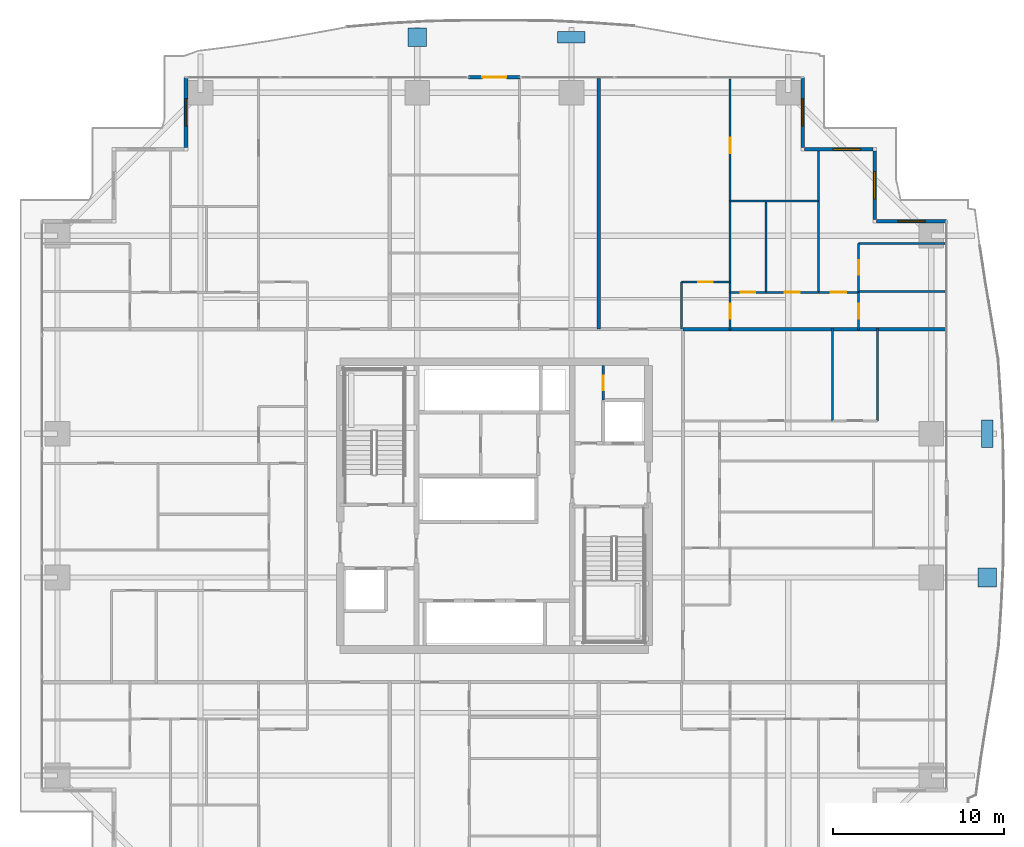
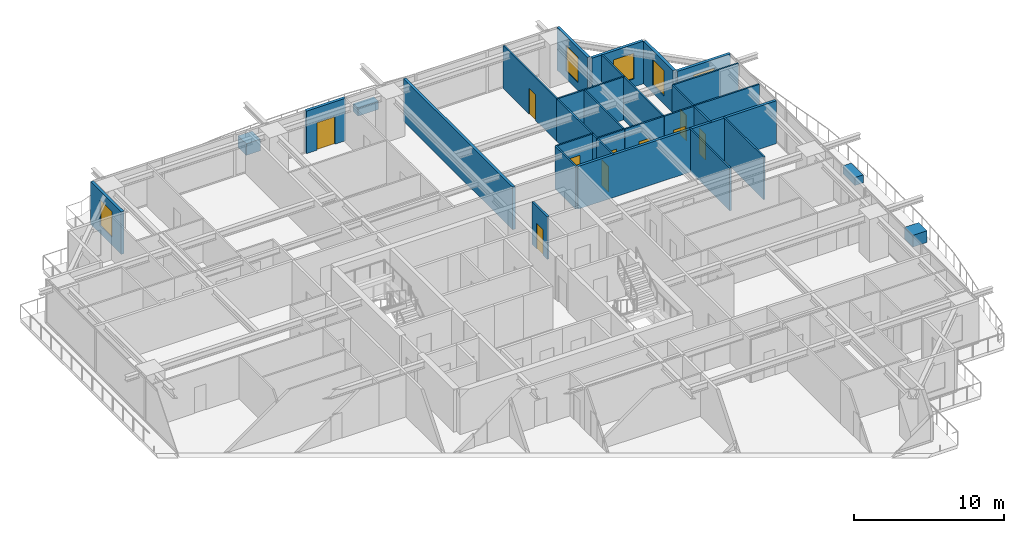
# One storey, part 31 of 37: 26 walls, 10 doors, 5 windows, 4 discrete accessories, 15 openings.
"""IFC4 building model written with IfcOpenShell, lengths in metres."""

from ifc_helpers import new_model, si_unit, direction, frame, frame_2d, origin, origin_2d, place, context, subcontext, project, spatial, rectangle, extrude, source, transform, mapped, material, layer, layer_set, type_object, element, fill, save


model = new_model("IFC4")

# Units and contexts
model_context = context("Model", 3, precision=1e-05, world=origin(), true_north=direction((0.0, 1.0)))
body_context = subcontext(model_context, "Body", "Model", "MODEL_VIEW")
ifc_project = project(units=[si_unit("LENGTHUNIT", "METRE"), si_unit("AREAUNIT", "SQUARE_METRE"), si_unit("VOLUMEUNIT", "CUBIC_METRE"), si_unit("PLANEANGLEUNIT", "RADIAN"), si_unit("MASSUNIT", "GRAM", prefix="KILO")], contexts=[model_context])

# Site, building, storey
site_placement = place(None, origin())
site = spatial("IfcSite", under=ifc_project, at=site_placement, CompositionType="ELEMENT")
building_placement = place(site_placement, origin())
building = spatial("IfcBuilding", under=site, at=building_placement, Name="Serunith Strait Residences", CompositionType="ELEMENT")
storey_placement = place(building_placement, frame((0.0, 0.0, 34.199951171875)))
storey = spatial("IfcBuildingStorey", under=building, at=storey_placement, Name="L07", CompositionType="ELEMENT", Elevation=34.199951171875)

# Wall, opening, window
ifc_material_1 = material(Name="Pale-Champagne Aluminium Insulated Panel", Category="aluminium")
ifc_layer_1 = layer(ifc_material_1, 0.219970703125, Name="Pale-Champagne Aluminium Insulated Panel")
ifc_layer_set_1 = layer_set([ifc_layer_1], Name="Pale-Champagne Aluminium Insulated Panel")
wall_type_1 = type_object("IfcWallType", Name="EW-ALUM-220", PredefinedType="ELEMENTEDWALL", material=ifc_layer_set_1)
wall_1_placement = place(storey_placement, frame((58.800048828125, 41.800048828125, 0.0), z_axis=(0.0, 0.0, 1.0), x_axis=(-1.0, 0.0, 0.0)))
wall_1 = element("IfcWall", 1, at=wall_1_placement, inside=storey, type_object=wall_type_1, Name="L07 Girih Serrated Corner Wall 07", PredefinedType="ELEMENTEDWALL", context=body_context, shape_type="SweptSolid", body=[
    extrude(rectangle(XDim=4.090087890625, YDim=0.219970703125, at=frame_2d((2.044921875, 0.0))), origin(), (0.0, 0.0, 1.0), 3.47509765625),
])
opening_1_placement = place(wall_1_placement, frame((1.2451171875, 0.0, 0.64990234375)))
opening_1 = element("IfcOpeningElement", 2, at=opening_1_placement, cuts=wall_1, Name="Opening W-02", PredefinedType="OPENING", context=body_context, shape_type="SweptSolid", body=[
    extrude(rectangle(XDim=1.60009765625, YDim=2.10009765625, at=frame_2d((0.800048828125, 1.050048828125))), frame((0.0, 0.1201171875, 0.0), z_axis=(0.0, -1.0, 0.0), x_axis=(1.0, 0.0, 0.0)), (0.0, 0.0, 1.0), 0.239990234375),
])
ifc_material_2 = material(Name="Ceramic-Fritted Operable Aluminium Window Glass", Category="aluminium")
window_type = type_object("IfcWindowType", Name="WIN-C2", PartitioningType="DOUBLE_PANEL_VERTICAL", PredefinedType="WINDOW", material=ifc_material_2)
shared_shape_1 = source(origin(), body_context, "Body", "SweptSolid", [
    extrude(rectangle(XDim=1.60009765625, YDim=2.10009765625, at=frame_2d((0.800048828125, 1.050048828125))), frame((0.0, 0.030029296875, 0.0), z_axis=(0.0, -1.0, 0.0), x_axis=(1.0, 0.0, 0.0)), (0.0, 0.0, 1.0), 0.06005859375),
])
window_1_placement = place(opening_1_placement, origin())
window_1 = element("IfcWindow", 3, at=window_1_placement, inside=storey, type_object=window_type, Name="L07 Corner Operable Fritted Window 07", OverallHeight=2.10009765625, OverallWidth=1.60009765625, PartitioningType="SINGLE_PANEL", PredefinedType="WINDOW", context=body_context, shape_type="MappedRepresentation", body=[
    mapped(shared_shape_1, transform((0.0, 0.0, 0.0), scale=1.0)),
])
fill(opening_1, window_1)

wall_2_placement = place(storey_placement, frame((54.60009765625, 41.909912109375, 0.0), z_axis=(0.0, 0.0, 1.0), x_axis=(0.0, 1.0, 0.0)))
wall_2 = element("IfcWall", 4, at=wall_2_placement, inside=storey, type_object=wall_type_1, Name="L07 Girih Serrated Corner Wall 08", PredefinedType="ELEMENTEDWALL", context=body_context, shape_type="SweptSolid", body=[
    extrude(rectangle(XDim=3.97998046875, YDim=0.219970703125, at=frame_2d((1.989990234375, 0.0))), origin(), (0.0, 0.0, 1.0), 3.47509765625),
])
opening_2_placement = place(wall_2_placement, frame((1.18994140625, 0.0, 0.64990234375)))
opening_2 = element("IfcOpeningElement", 5, at=opening_2_placement, cuts=wall_2, Name="Opening W-02", PredefinedType="OPENING", context=body_context, shape_type="SweptSolid", body=[
    extrude(rectangle(XDim=1.60009765625, YDim=2.10009765625, at=frame_2d((0.800048828125, 1.050048828125))), frame((0.0, 0.1201171875, 0.0), z_axis=(0.0, -1.0, 0.0), x_axis=(1.0, 0.0, 0.0)), (0.0, 0.0, 1.0), 0.239990234375),
])
window_2_placement = place(opening_2_placement, origin())
window_2 = element("IfcWindow", 6, at=window_2_placement, inside=storey, type_object=window_type, Name="L07 Corner Operable Fritted Window 08", OverallHeight=2.10009765625, OverallWidth=1.60009765625, PartitioningType="SINGLE_PANEL", PredefinedType="WINDOW", context=body_context, shape_type="MappedRepresentation", body=[
    mapped(shared_shape_1, transform((0.0, 0.0, 0.0), scale=1.0)),
])
fill(opening_2, window_2)

wall_3_placement = place(storey_placement, frame((54.489990234375, 46.0, 0.0), z_axis=(0.0, 0.0, 1.0), x_axis=(-1.0, 0.0, 0.0)))
wall_3 = element("IfcWall", 7, at=wall_3_placement, inside=storey, type_object=wall_type_1, Name="L07 Girih Serrated Corner Wall 09", PredefinedType="ELEMENTEDWALL", context=body_context, shape_type="SweptSolid", body=[
    extrude(rectangle(XDim=3.97998046875, YDim=0.219970703125, at=frame_2d((1.989990234375, 0.0))), origin(), (0.0, 0.0, 1.0), 3.47509765625),
])
opening_3_placement = place(wall_3_placement, frame((0.714111328125, 0.0, 0.64990234375)))
opening_3 = element("IfcOpeningElement", 8, at=opening_3_placement, cuts=wall_3, Name="Opening W-02", PredefinedType="OPENING", context=body_context, shape_type="SweptSolid", body=[
    extrude(rectangle(XDim=1.60009765625, YDim=2.10009765625, at=frame_2d((0.800048828125, 1.050048828125))), frame((0.0, 0.1201171875, 0.0), z_axis=(0.0, -1.0, 0.0), x_axis=(1.0, 0.0, 0.0)), (0.0, 0.0, 1.0), 0.239990234375),
])
window_3_placement = place(opening_3_placement, origin())
window_3 = element("IfcWindow", 9, at=window_3_placement, inside=storey, type_object=window_type, Name="L07 Corner Operable Fritted Window 09", OverallHeight=2.10009765625, OverallWidth=1.60009765625, PartitioningType="SINGLE_PANEL", PredefinedType="WINDOW", context=body_context, shape_type="MappedRepresentation", body=[
    mapped(shared_shape_1, transform((0.0, 0.0, 0.0), scale=1.0)),
])
fill(opening_3, window_3)

wall_4_placement = place(storey_placement, frame((50.39990234375, 46.110107421875, 0.0), z_axis=(0.0, 0.0, 1.0), x_axis=(0.0, 1.0, 0.0)))
wall_4 = element("IfcWall", 10, at=wall_4_placement, inside=storey, type_object=wall_type_1, Name="L07 Girih Serrated Corner Wall 10", PredefinedType="ELEMENTEDWALL", context=body_context, shape_type="SweptSolid", body=[
    extrude(rectangle(XDim=4.08984375, YDim=0.219970703125, at=frame_2d((2.044921875, 0.0))), origin(), (0.0, 0.0, 1.0), 3.47509765625),
])
opening_4_placement = place(wall_4_placement, frame((1.2451171875, 0.0, 0.64990234375)))
opening_4 = element("IfcOpeningElement", 11, at=opening_4_placement, cuts=wall_4, Name="Opening W-02", PredefinedType="OPENING", context=body_context, shape_type="SweptSolid", body=[
    extrude(rectangle(XDim=1.60009765625, YDim=2.10009765625, at=frame_2d((0.800048828125, 1.050048828125))), frame((0.0, 0.1201171875, 0.0), z_axis=(0.0, -1.0, 0.0), x_axis=(1.0, 0.0, 0.0)), (0.0, 0.0, 1.0), 0.239990234375),
])
window_4_placement = place(opening_4_placement, origin())
window_4 = element("IfcWindow", 12, at=window_4_placement, inside=storey, type_object=window_type, Name="L07 Corner Operable Fritted Window 10", OverallHeight=2.10009765625, OverallWidth=1.60009765625, PartitioningType="SINGLE_PANEL", PredefinedType="WINDOW", context=body_context, shape_type="MappedRepresentation", body=[
    mapped(shared_shape_1, transform((0.0, 0.0, 0.0), scale=1.0)),
])
fill(opening_4, window_4)

# Wall, opening, door
wall_5_placement = place(storey_placement, frame((33.89990234375, 50.199951171875, 0.0), z_axis=(0.0, 0.0, 1.0), x_axis=(-1.0, 0.0, 0.0)))
wall_5 = element("IfcWall", 13, at=wall_5_placement, inside=storey, type_object=wall_type_1, Name="L07 N Facade Pier Wall", PredefinedType="ELEMENTEDWALL", context=body_context, shape_type="SweptSolid", body=[
    extrude(rectangle(XDim=3.0, YDim=0.219970703125, at=frame_2d((1.5, 0.0))), origin(), (0.0, 0.0, 1.0), 3.47509765625),
])
opening_5_placement = place(wall_5_placement, frame((0.800048828125, 0.0, 0.0)))
opening_5 = element("IfcOpeningElement", 14, at=opening_5_placement, cuts=wall_5, Name="Opening ED-04", PredefinedType="OPENING", context=body_context, shape_type="SweptSolid", body=[
    extrude(rectangle(XDim=1.39990234375, YDim=2.25, at=frame_2d((0.699951171875, 1.125))), frame((0.0, 0.1201171875, 0.0), z_axis=(0.0, -1.0, 0.0), x_axis=(1.0, 0.0, 0.0)), (0.0, 0.0, 1.0), 0.239990234375),
])
ifc_material_3 = material(Name="Thermally-Broken Aluminium Sliding Balcony Door", Category="aluminium")
door_type_1 = type_object("IfcDoorType", Name="ED-BALC-1400", OperationType="NOTDEFINED", PredefinedType="DOOR", material=ifc_material_3)
shared_shape_2 = source(origin(), body_context, "Body", "SweptSolid", [
    extrude(rectangle(XDim=1.39990234375, YDim=2.25, at=frame_2d((0.699951171875, 1.125))), frame((0.0, 0.02490234375, 0.0), z_axis=(0.0, -1.0, 0.0), x_axis=(1.0, 0.0, 0.0)), (0.0, 0.0, 1.0), 0.050048828125),
])
door_1_placement = place(opening_5_placement, origin())
door_1 = element("IfcDoor", 15, at=door_1_placement, inside=storey, type_object=door_type_1, Name="L07 N Vertical-Forest Balcony Door", OperationType="SLIDING_TO_LEFT", OverallHeight=2.25, OverallWidth=1.39990234375, PredefinedType="DOOR", context=body_context, shape_type="MappedRepresentation", body=[
    mapped(shared_shape_2, transform((0.0, 0.0, 0.0), scale=1.0)),
])
fill(opening_5, door_1)

# Wall, opening, window
wall_6_placement = place(storey_placement, frame((14.39990234375, 50.199951171875, 0.0), z_axis=(0.0, 0.0, 1.0), x_axis=(0.0, -1.0, 0.0)))
wall_6 = element("IfcWall", 16, at=wall_6_placement, inside=storey, type_object=wall_type_1, Name="L07 Girih Serrated Corner Wall 12", PredefinedType="ELEMENTEDWALL", context=body_context, shape_type="SweptSolid", body=[
    extrude(rectangle(XDim=4.08984375, YDim=0.219970703125, at=frame_2d((2.044921875, 0.0))), origin(), (0.0, 0.0, 1.0), 3.47509765625),
])
opening_6_placement = place(wall_6_placement, frame((1.2451171875, 0.0, 0.64990234375)))
opening_6 = element("IfcOpeningElement", 17, at=opening_6_placement, cuts=wall_6, Name="Opening W-02", PredefinedType="OPENING", context=body_context, shape_type="SweptSolid", body=[
    extrude(rectangle(XDim=1.60009765625, YDim=2.10009765625, at=frame_2d((0.800048828125, 1.050048828125))), frame((0.0, 0.1201171875, 0.0), z_axis=(0.0, -1.0, 0.0), x_axis=(1.0, 0.0, 0.0)), (0.0, 0.0, 1.0), 0.239990234375),
])
window_5_placement = place(opening_6_placement, origin())
window_5 = element("IfcWindow", 18, at=window_5_placement, inside=storey, type_object=window_type, Name="L07 Corner Operable Fritted Window 12", OverallHeight=2.10009765625, OverallWidth=1.60009765625, PartitioningType="SINGLE_PANEL", PredefinedType="WINDOW", context=body_context, shape_type="MappedRepresentation", body=[
    mapped(shared_shape_1, transform((0.0, 0.0, 0.0), scale=1.0)),
])
fill(opening_6, window_5)

# Wall, opening, door
ifc_material_4 = material(Name="Fire-rated masonry service closet wall", Category="masonry")
ifc_layer_2 = layer(ifc_material_4, 0.14990234375, Name="Fire-rated masonry service closet wall")
ifc_layer_set_2 = layer_set([ifc_layer_2], Name="Fire-rated masonry service closet wall")
wall_type_2 = type_object("IfcWallType", Name="IW-BOH-150", PredefinedType="PARTITIONING", material=ifc_layer_set_2)
wall_7_placement = place(storey_placement, frame((38.75, 31.35205078125, 0.0), z_axis=(0.0, 0.0, 1.0), x_axis=(0.0, 1.0, 0.0)))
wall_7 = element("IfcWall", 19, at=wall_7_placement, inside=storey, type_object=wall_type_2, Name="L07 Partition Wall 012", PredefinedType="PARTITIONING", context=body_context, shape_type="SweptSolid", body=[
    extrude(rectangle(XDim=2.02294921875, YDim=0.14990234375, at=frame_2d((1.011474609375, 0.0))), origin(), (0.0, 0.0, 1.0), 3.489990234375),
])
opening_7_placement = place(wall_7_placement, frame((0.5859375, 0.0, 0.0)))
opening_7 = element("IfcOpeningElement", 20, at=opening_7_placement, cuts=wall_7, Name="Opening FD-850", PredefinedType="OPENING", context=body_context, shape_type="SweptSolid", body=[
    extrude(rectangle(XDim=0.85009765625, YDim=2.10009765625, at=frame_2d((0.425048828125, 1.050048828125))), frame((0.0, 0.0849609375, 0.0), z_axis=(0.0, -1.0, 0.0), x_axis=(1.0, 0.0, 0.0)), (0.0, 0.0, 1.0), 0.169921875),
])
ifc_material_5 = material(Name="Powder-coated steel service closet door", Category="steel")
door_type_2 = type_object("IfcDoorType", Name="FD-BOH-850", OperationType="NOTDEFINED", PredefinedType="DOOR", material=ifc_material_5)
shared_shape_3 = source(origin(), body_context, "Body", "SweptSolid", [
    extrude(rectangle(XDim=0.85009765625, YDim=2.10009765625, at=frame_2d((0.425048828125, 1.050048828125))), frame((0.0, 0.02490234375, 0.0), z_axis=(0.0, -1.0, 0.0), x_axis=(1.0, 0.0, 0.0)), (0.0, 0.0, 1.0), 0.050048828125),
])
door_2_placement = place(opening_7_placement, origin())
door_2 = element("IfcDoor", 21, at=door_2_placement, inside=storey, type_object=door_type_2, Name="L07 ELV Data Closet Door", OperationType="SINGLE_SWING_LEFT", OverallHeight=2.10009765625, OverallWidth=0.85009765625, PredefinedType="DOOR", context=body_context, shape_type="MappedRepresentation", body=[
    mapped(shared_shape_3, transform((0.0, 0.0, 0.0), scale=1.0)),
])
fill(opening_7, door_2)

ifc_material_6 = material(Name="Lightweight steel-stud gypsum partition", Category="steel")
ifc_layer_3 = layer(ifc_material_6, 0.1201171875, Name="Lightweight steel-stud gypsum partition")
ifc_layer_set_3 = layer_set([ifc_layer_3], Name="Lightweight steel-stud gypsum partition")
wall_type_3 = type_object("IfcWallType", Name="IW-PART-120", PredefinedType="PARTITIONING", material=ifc_layer_set_3)
wall_8_placement = place(storey_placement, frame((43.31005859375, 38.25, 0.0), z_axis=(0.0, 0.0, 1.0), x_axis=(1.0, 0.0, 0.0)))
wall_8 = element("IfcWall", 22, at=wall_8_placement, inside=storey, type_object=wall_type_3, Name="L07 Partition Wall 086", PredefinedType="PARTITIONING", context=body_context, shape_type="SweptSolid", body=[
    extrude(rectangle(XDim=2.849853515625, YDim=0.1201171875, at=frame_2d((1.4248046875, 0.0))), origin(), (0.0, 0.0, 1.0), 3.489990234375),
])
opening_8_placement = place(wall_8_placement, frame((1.0, 0.0, 0.0)))
opening_8 = element("IfcOpeningElement", 23, at=opening_8_placement, cuts=wall_8, Name="Opening D-RM850", PredefinedType="OPENING", context=body_context, shape_type="SweptSolid", body=[
    extrude(rectangle(XDim=0.85009765625, YDim=2.10009765625, at=frame_2d((0.425048828125, 1.050048828125))), frame((0.0, 0.070068359375, 0.0), z_axis=(0.0, -1.0, 0.0), x_axis=(1.0, 0.0, 0.0)), (0.0, 0.0, 1.0), 0.14013671875),
])
ifc_material_7 = material(Name="Engineered timber flush study and kitchen door", Category="wood")
door_type_3 = type_object("IfcDoorType", Name="ID-ROOM-850", OperationType="NOTDEFINED", PredefinedType="DOOR", material=ifc_material_7)
door_3_placement = place(opening_8_placement, origin())
door_3 = element("IfcDoor", 24, at=door_3_placement, inside=storey, type_object=door_type_3, Name="L07 Kitchen 0706 Door", OperationType="SINGLE_SWING_RIGHT", OverallHeight=2.10009765625, OverallWidth=0.85009765625, PredefinedType="DOOR", context=body_context, shape_type="MappedRepresentation", body=[
    mapped(shared_shape_3, transform((0.0, 0.0, 0.0), scale=1.0)),
])
fill(opening_8, door_3)

# Wall
wall_9_placement = place(storey_placement, frame((43.31005859375, 38.25, 0.0), z_axis=(0.0, 0.0, 1.0), x_axis=(0.0, -1.0, 0.0)))
element("IfcWall", 25, at=wall_9_placement, inside=storey, type_object=wall_type_3, Name="L07 Partition Wall 087", PredefinedType="PARTITIONING", context=body_context, shape_type="SweptSolid", body=[
    extrude(rectangle(XDim=2.748046875, YDim=0.1201171875, at=frame_2d((1.3740234375, 0.0))), origin(), (0.0, 0.0, 1.0), 3.489990234375),
])

# Wall, opening, door
wall_10_placement = place(storey_placement, frame((46.159912109375, 37.64990234375, 0.0), z_axis=(0.0, 0.0, 1.0), x_axis=(0.0, -1.0, 0.0)))
wall_10 = element("IfcWall", 26, at=wall_10_placement, inside=storey, type_object=wall_type_3, Name="L07 Partition Wall 088", PredefinedType="PARTITIONING", context=body_context, shape_type="SweptSolid", body=[
    extrude(rectangle(XDim=2.2099609375, YDim=0.1201171875, at=frame_2d((1.10498046875, 0.0))), origin(), (0.0, 0.0, 1.0), 3.489990234375),
])
opening_9_placement = place(wall_10_placement, frame((0.655029296875, 0.0, 0.0)))
opening_9 = element("IfcOpeningElement", 27, at=opening_9_placement, cuts=wall_10, Name="Opening D-RM900", PredefinedType="OPENING", context=body_context, shape_type="SweptSolid", body=[
    extrude(rectangle(XDim=0.89990234375, YDim=2.10009765625, at=frame_2d((0.449951171875, 1.050048828125))), frame((0.0, 0.070068359375, 0.0), z_axis=(0.0, -1.0, 0.0), x_axis=(1.0, 0.0, 0.0)), (0.0, 0.0, 1.0), 0.14013671875),
])
ifc_material_8 = material(Name="Engineered timber flush bedroom door", Category="wood")
door_type_4 = type_object("IfcDoorType", Name="ID-ROOM-900", OperationType="NOTDEFINED", PredefinedType="DOOR", material=ifc_material_8)
shared_shape_4 = source(origin(), body_context, "Body", "SweptSolid", [
    extrude(rectangle(XDim=0.89990234375, YDim=2.10009765625, at=frame_2d((0.449951171875, 1.050048828125))), frame((0.0, 0.02490234375, 0.0), z_axis=(0.0, -1.0, 0.0), x_axis=(1.0, 0.0, 0.0)), (0.0, 0.0, 1.0), 0.050048828125),
])
door_4_placement = place(opening_9_placement, origin())
door_4 = element("IfcDoor", 28, at=door_4_placement, inside=storey, type_object=door_type_4, Name="L07 Hall E 0706 Door", OperationType="SINGLE_SWING_LEFT", OverallHeight=2.10009765625, OverallWidth=0.89990234375, PredefinedType="DOOR", context=body_context, shape_type="MappedRepresentation", body=[
    mapped(shared_shape_4, transform((0.0, 0.0, 0.0), scale=1.0)),
])
fill(opening_9, door_4)

wall_11_placement = place(storey_placement, frame((46.159912109375, 50.10498046875, 0.0), z_axis=(0.0, 0.0, 1.0), x_axis=(0.0, -1.0, 0.0)))
wall_11 = element("IfcWall", 29, at=wall_11_placement, inside=storey, type_object=wall_type_3, Name="L07 Partition Wall 089", PredefinedType="PARTITIONING", context=body_context, shape_type="SweptSolid", body=[
    extrude(rectangle(XDim=7.135986328125, YDim=0.1201171875, at=frame_2d((3.56787109375, 0.0))), origin(), (0.0, 0.0, 1.0), 3.489990234375),
])
opening_10_placement = place(wall_11_placement, frame((3.429931640625, 0.0, 0.0)))
opening_10 = element("IfcOpeningElement", 30, at=opening_10_placement, cuts=wall_11, Name="Opening D-RM900", PredefinedType="OPENING", context=body_context, shape_type="SweptSolid", body=[
    extrude(rectangle(XDim=0.89990234375, YDim=2.10009765625, at=frame_2d((0.449951171875, 1.050048828125))), frame((0.0, 0.070068359375, 0.0), z_axis=(0.0, -1.0, 0.0), x_axis=(1.0, 0.0, 0.0)), (0.0, 0.0, 1.0), 0.14013671875),
])
door_5_placement = place(opening_10_placement, origin())
door_5 = element("IfcDoor", 31, at=door_5_placement, inside=storey, type_object=door_type_4, Name="L07 Formal Dining Room 1 0706 Door", OperationType="SINGLE_SWING_RIGHT", OverallHeight=2.10009765625, OverallWidth=0.89990234375, PredefinedType="DOOR", context=body_context, shape_type="MappedRepresentation", body=[
    mapped(shared_shape_4, transform((0.0, 0.0, 0.0), scale=1.0)),
])
fill(opening_10, door_5)

# Walls
wall_12_placement = place(storey_placement, frame((46.159912109375, 42.967041015625, 0.0), z_axis=(0.0, 0.0, 1.0), x_axis=(0.0, -1.0, 0.0)))
element("IfcWall", 32, at=wall_12_placement, inside=storey, type_object=wall_type_3, Name="L07 Partition Wall 090", PredefinedType="PARTITIONING", context=body_context, shape_type="SweptSolid", body=[
    extrude(rectangle(XDim=5.31494140625, YDim=0.1201171875, at=frame_2d((2.657470703125, 0.0))), origin(), (0.0, 0.0, 1.0), 3.489990234375),
])
wall_13_placement = place(storey_placement, frame((46.159912109375, 42.968994140625, 0.0), z_axis=(0.0, 0.0, 1.0), x_axis=(1.0, 0.0, 0.0)))
element("IfcWall", 33, at=wall_13_placement, inside=storey, type_object=wall_type_3, Name="L07 Partition Wall 091", PredefinedType="PARTITIONING", context=body_context, shape_type="SweptSolid", body=[
    extrude(rectangle(XDim=5.150146484375, YDim=0.1201171875, at=frame_2d((2.5751953125, 0.0))), origin(), (0.0, 0.0, 1.0), 3.489990234375),
])
wall_14_placement = place(storey_placement, frame((51.31005859375, 45.905029296875, 0.0), z_axis=(0.0, 0.0, 1.0), x_axis=(0.0, -1.0, 0.0)))
element("IfcWall", 34, at=wall_14_placement, inside=storey, type_object=wall_type_3, Name="L07 Partition Wall 092", PredefinedType="PARTITIONING", context=body_context, shape_type="SweptSolid", body=[
    extrude(rectangle(XDim=8.255126953125, YDim=0.1201171875, at=frame_2d((4.12744140625, 0.0))), origin(), (0.0, 0.0, 1.0), 3.489990234375),
])
wall_15_placement = place(storey_placement, frame((48.260009765625, 42.968994140625, 0.0), z_axis=(0.0, 0.0, 1.0), x_axis=(0.0, -1.0, 0.0)))
element("IfcWall", 35, at=wall_15_placement, inside=storey, type_object=wall_type_3, Name="L07 Partition Wall 093", PredefinedType="PARTITIONING", context=body_context, shape_type="SweptSolid", body=[
    extrude(rectangle(XDim=5.319091796875, YDim=0.1201171875, at=frame_2d((2.65966796875, 0.0))), origin(), (0.0, 0.0, 1.0), 3.489990234375),
])

# Wall, opening, door
wall_16_placement = place(storey_placement, frame((46.159912109375, 37.64990234375, 0.0), z_axis=(0.0, 0.0, 1.0), x_axis=(1.0, 0.0, 0.0)))
wall_16 = element("IfcWall", 36, at=wall_16_placement, inside=storey, type_object=wall_type_3, Name="L07 Partition Wall 094", PredefinedType="PARTITIONING", context=body_context, shape_type="SweptSolid", body=[
    extrude(rectangle(XDim=2.10009765625, YDim=0.1201171875, at=frame_2d((1.050048828125, 0.0))), origin(), (0.0, 0.0, 1.0), 3.489990234375),
])
opening_11_placement = place(wall_16_placement, frame((0.625, 0.0, 0.0)))
opening_11 = element("IfcOpeningElement", 37, at=opening_11_placement, cuts=wall_16, Name="Opening D-BTH850", PredefinedType="OPENING", context=body_context, shape_type="SweptSolid", body=[
    extrude(rectangle(XDim=0.85009765625, YDim=2.10009765625, at=frame_2d((0.425048828125, 1.050048828125))), frame((0.0, 0.070068359375, 0.0), z_axis=(0.0, -1.0, 0.0), x_axis=(1.0, 0.0, 0.0)), (0.0, 0.0, 1.0), 0.14013671875),
])
ifc_material_9 = material(Name="Moisture-resistant timber bathroom door", Category="wood")
door_type_5 = type_object("IfcDoorType", Name="ID-BATH-850", OperationType="NOTDEFINED", PredefinedType="DOOR", material=ifc_material_9)
door_6_placement = place(opening_11_placement, origin())
door_6 = element("IfcDoor", 38, at=door_6_placement, inside=storey, type_object=door_type_5, Name="L07 Bathroom 0706 Door", OperationType="SINGLE_SWING_LEFT", OverallHeight=2.10009765625, OverallWidth=0.85009765625, PredefinedType="DOOR", context=body_context, shape_type="MappedRepresentation", body=[
    mapped(shared_shape_3, transform((0.0, 0.0, 0.0), scale=1.0)),
])
fill(opening_11, door_6)

wall_17_placement = place(storey_placement, frame((48.261962890625, 37.64990234375, 0.0), z_axis=(0.0, 0.0, 1.0), x_axis=(1.0, 0.0, 0.0)))
wall_17 = element("IfcWall", 39, at=wall_17_placement, inside=storey, type_object=wall_type_3, Name="L07 Partition Wall 095", PredefinedType="PARTITIONING", context=body_context, shape_type="SweptSolid", body=[
    extrude(rectangle(XDim=3.048095703125, YDim=0.1201171875, at=frame_2d((1.52392578125, 0.0))), origin(), (0.0, 0.0, 1.0), 3.489990234375),
])
opening_12_placement = place(wall_17_placement, frame((1.09912109375, 0.0, 0.0)))
opening_12 = element("IfcOpeningElement", 40, at=opening_12_placement, cuts=wall_17, Name="Opening D-RM850", PredefinedType="OPENING", context=body_context, shape_type="SweptSolid", body=[
    extrude(rectangle(XDim=0.85009765625, YDim=2.10009765625, at=frame_2d((0.425048828125, 1.050048828125))), frame((0.0, 0.070068359375, 0.0), z_axis=(0.0, -1.0, 0.0), x_axis=(1.0, 0.0, 0.0)), (0.0, 0.0, 1.0), 0.14013671875),
])
door_7_placement = place(opening_12_placement, origin())
door_7 = element("IfcDoor", 41, at=door_7_placement, inside=storey, type_object=door_type_3, Name="L07 Formal Dining Room 0706 Door", OperationType="SINGLE_SWING_RIGHT", OverallHeight=2.10009765625, OverallWidth=0.85009765625, PredefinedType="DOOR", context=body_context, shape_type="MappedRepresentation", body=[
    mapped(shared_shape_3, transform((0.0, 0.0, 0.0), scale=1.0)),
])
fill(opening_12, door_7)

wall_18_placement = place(storey_placement, frame((51.31201171875, 37.64990234375, 0.0), z_axis=(0.0, 0.0, 1.0), x_axis=(1.0, 0.0, 0.0)))
wall_18 = element("IfcWall", 42, at=wall_18_placement, inside=storey, type_object=wall_type_3, Name="L07 Partition Wall 096", PredefinedType="PARTITIONING", context=body_context, shape_type="SweptSolid", body=[
    extrude(rectangle(XDim=2.347900390625, YDim=0.1201171875, at=frame_2d((1.173828125, 0.0))), origin(), (0.0, 0.0, 1.0), 3.489990234375),
])
opening_13_placement = place(wall_18_placement, frame((0.72412109375, 0.0, 0.0)))
opening_13 = element("IfcOpeningElement", 43, at=opening_13_placement, cuts=wall_18, Name="Opening D-RM900", PredefinedType="OPENING", context=body_context, shape_type="SweptSolid", body=[
    extrude(rectangle(XDim=0.89990234375, YDim=2.10009765625, at=frame_2d((0.449951171875, 1.050048828125))), frame((0.0, 0.070068359375, 0.0), z_axis=(0.0, -1.0, 0.0), x_axis=(1.0, 0.0, 0.0)), (0.0, 0.0, 1.0), 0.14013671875),
])
door_8_placement = place(opening_13_placement, origin())
door_8 = element("IfcDoor", 44, at=door_8_placement, inside=storey, type_object=door_type_4, Name="L07 Master Bedroom E 0706 Door", OperationType="SINGLE_SWING_LEFT", OverallHeight=2.10009765625, OverallWidth=0.89990234375, PredefinedType="DOOR", context=body_context, shape_type="MappedRepresentation", body=[
    mapped(shared_shape_4, transform((0.0, 0.0, 0.0), scale=1.0)),
])
fill(opening_13, door_8)

# Walls
wall_19_placement = place(storey_placement, frame((53.659912109375, 40.506103515625, 0.0), z_axis=(0.0, 0.0, 1.0), x_axis=(1.0, 0.0, 0.0)))
element("IfcWall", 45, at=wall_19_placement, inside=storey, type_object=wall_type_3, Name="L07 Partition Wall 097", PredefinedType="PARTITIONING", context=body_context, shape_type="SweptSolid", body=[
    extrude(rectangle(XDim=5.045166015625, YDim=0.1201171875, at=frame_2d((2.5224609375, 0.0))), origin(), (0.0, 0.0, 1.0), 3.489990234375),
])
wall_20_placement = place(storey_placement, frame((53.662109375, 37.697998046875, 0.0), z_axis=(0.0, 0.0, 1.0), x_axis=(1.0, 0.0, 0.0)))
element("IfcWall", 46, at=wall_20_placement, inside=storey, type_object=wall_type_3, Name="L07 Partition Wall 098", PredefinedType="PARTITIONING", context=body_context, shape_type="SweptSolid", body=[
    extrude(rectangle(XDim=5.04296875, YDim=0.1201171875, at=frame_2d((2.521484375, 0.0))), origin(), (0.0, 0.0, 1.0), 3.489990234375),
])

# Wall, opening, door
wall_21_placement = place(storey_placement, frame((53.659912109375, 40.506103515625, 0.0), z_axis=(0.0, 0.0, 1.0), x_axis=(0.0, -1.0, 0.0)))
wall_21 = element("IfcWall", 47, at=wall_21_placement, inside=storey, type_object=wall_type_3, Name="L07 Partition Wall 099", PredefinedType="PARTITIONING", context=body_context, shape_type="SweptSolid", body=[
    extrude(rectangle(XDim=2.80810546875, YDim=0.1201171875, at=frame_2d((1.404052734375, 0.0))), origin(), (0.0, 0.0, 1.0), 3.489990234375),
])
opening_14_placement = place(wall_21_placement, frame((0.97900390625, 0.0, 0.0)))
opening_14 = element("IfcOpeningElement", 48, at=opening_14_placement, cuts=wall_21, Name="Opening D-BTH850", PredefinedType="OPENING", context=body_context, shape_type="SweptSolid", body=[
    extrude(rectangle(XDim=0.85009765625, YDim=2.10009765625, at=frame_2d((0.425048828125, 1.050048828125))), frame((0.0, 0.070068359375, 0.0), z_axis=(0.0, -1.0, 0.0), x_axis=(1.0, 0.0, 0.0)), (0.0, 0.0, 1.0), 0.14013671875),
])
door_9_placement = place(opening_14_placement, origin())
door_9 = element("IfcDoor", 49, at=door_9_placement, inside=storey, type_object=door_type_5, Name="L07 En-suite Bathroom E 0706 Door", OperationType="SINGLE_SWING_RIGHT", OverallHeight=2.10009765625, OverallWidth=0.85009765625, PredefinedType="DOOR", context=body_context, shape_type="MappedRepresentation", body=[
    mapped(shared_shape_3, transform((0.0, 0.0, 0.0), scale=1.0)),
])
fill(opening_14, door_9)

wall_22_placement = place(storey_placement, frame((53.659912109375, 37.64990234375, 0.0), z_axis=(0.0, 0.0, 1.0), x_axis=(0.0, -1.0, 0.0)))
wall_22 = element("IfcWall", 50, at=wall_22_placement, inside=storey, type_object=wall_type_3, Name="L07 Partition Wall 100", PredefinedType="PARTITIONING", context=body_context, shape_type="SweptSolid", body=[
    extrude(rectangle(XDim=2.2099609375, YDim=0.1201171875, at=frame_2d((1.10498046875, 0.0))), origin(), (0.0, 0.0, 1.0), 3.489990234375),
])
opening_15_placement = place(wall_22_placement, frame((0.679931640625, 0.0, 0.0)))
opening_15 = element("IfcOpeningElement", 51, at=opening_15_placement, cuts=wall_22, Name="Opening D-RM850", PredefinedType="OPENING", context=body_context, shape_type="SweptSolid", body=[
    extrude(rectangle(XDim=0.85009765625, YDim=2.10009765625, at=frame_2d((0.425048828125, 1.050048828125))), frame((0.0, 0.070068359375, 0.0), z_axis=(0.0, -1.0, 0.0), x_axis=(1.0, 0.0, 0.0)), (0.0, 0.0, 1.0), 0.14013671875),
])
door_10_placement = place(opening_15_placement, origin())
door_10 = element("IfcDoor", 52, at=door_10_placement, inside=storey, type_object=door_type_3, Name="L07 Wardrobe E 0706 Door", OperationType="SINGLE_SWING_LEFT", OverallHeight=2.10009765625, OverallWidth=0.85009765625, PredefinedType="DOOR", context=body_context, shape_type="MappedRepresentation", body=[
    mapped(shared_shape_3, transform((0.0, 0.0, 0.0), scale=1.0)),
])
fill(opening_15, door_10)

# Walls
for number, where, z_axis, x_axis, name in (
    (53, (54.75, 30.14990234375, 0.0), (0.0, 0.0, 1.0), (0.0, 1.0, 0.0), "L07 Partition Wall 128"),
    (54, (52.133056640625, 30.14990234375, 0.0), (0.0, 0.0, 1.0), (0.0, 1.0, 0.0), "L07 Partition Wall 129"),
):
    element("IfcWall", number, at=place(storey_placement, frame(where, z_axis=z_axis, x_axis=x_axis)), inside=storey, type_object=wall_type_3, Name=name, PredefinedType="PARTITIONING", context=body_context, shape_type="SweptSolid", body=[
        extrude(rectangle(XDim=5.41015625, YDim=0.1201171875, at=frame_2d((2.705078125, 0.0))), origin(), (0.0, 0.0, 1.0), 3.489990234375),
    ])
ifc_material_10 = material(Name="Twin-stud acoustic gypsum board partition")
ifc_layer_4 = layer(ifc_material_10, 0.199951171875, Name="Twin-stud acoustic gypsum board partition")
ifc_layer_set_4 = layer_set([ifc_layer_4], Name="Twin-stud acoustic gypsum board partition")
wall_type_4 = type_object("IfcWallType", Name="IW-PARTY-200", PredefinedType="PARTITIONING", material=ifc_layer_set_4)
wall_23_placement = place(storey_placement, frame((38.5, 35.5, 0.0), z_axis=(0.0, 0.0, 1.0), x_axis=(0.0, 1.0, 0.0)))
element("IfcWall", 55, at=wall_23_placement, inside=storey, type_object=wall_type_4, Name="L07 Partition Wall 018", PredefinedType="PARTITIONING", context=body_context, shape_type="SweptSolid", body=[
    extrude(rectangle(XDim=14.617919921875, YDim=0.199951171875, at=frame_2d((7.30908203125, 0.0))), origin(), (0.0, 0.0, 1.0), 3.489990234375),
])
wall_24_placement = place(storey_placement, frame((43.39990234375, 35.5, 0.0), z_axis=(0.0, 0.0, 1.0), x_axis=(1.0, 0.0, 0.0)))
element("IfcWall", 56, at=wall_24_placement, inside=storey, type_object=wall_type_4, Name="L07 Partition Wall 022", PredefinedType="PARTITIONING", context=body_context, shape_type="SweptSolid", body=[
    extrude(rectangle(XDim=15.318115234375, YDim=0.199951171875, at=frame_2d((7.6591796875, 0.0))), origin(), (0.0, 0.0, 1.0), 3.489990234375),
])

# Discrete accessories
ifc_material_11 = material(Name="GFRC Root-Anchored Structural Planter")
discrete_accessory_type_1 = type_object("IfcDiscreteAccessoryType", Name="ACC-PLANTER-TREE", PredefinedType="USERDEFINED", material=ifc_material_11)
shared_shape_5 = source(origin(), body_context, "Body", "SweptSolid", [
    extrude(rectangle(XDim=1.10009765625, YDim=1.10009765625, at=origin_2d()), origin(), (0.0, 0.0, 1.0), 0.949951171875),
])
for number, where, z_axis, x_axis, name in (
    (57, (27.89990234375, 52.538818359375, -0.0498046875), (0.0, 0.0, 1.0), (-1.0, 0.0, 0.0), "L07 Vertical-Forest Tree Planter 06"),
    (58, (61.162109375, 21.0, -0.0498046875), (0.0, 0.0, 1.0), (0.0, 1.0, 0.0), "L07 Vertical-Forest Tree Planter 10"),
):
    element("IfcDiscreteAccessory", number, at=place(storey_placement, frame(where, z_axis=z_axis, x_axis=x_axis)), inside=storey, type_object=discrete_accessory_type_1, Name=name, ObjectType="PLANTER", PredefinedType="USERDEFINED", context=body_context, shape_type="MappedRepresentation", body=[
        mapped(shared_shape_5, transform((0.0, 0.0, 0.0), scale=1.0)),
    ])
ifc_material_12 = material(Name="GFRC Irrigated Shrub Trough Planter")
discrete_accessory_type_2 = type_object("IfcDiscreteAccessoryType", Name="ACC-PLANTER-SHRUB", PredefinedType="USERDEFINED", material=ifc_material_12)
shared_shape_6 = source(origin(), body_context, "Body", "SweptSolid", [
    extrude(rectangle(XDim=1.60009765625, YDim=0.64990234375, at=origin_2d()), origin(), (0.0, 0.0, 1.0), 0.64990234375),
])
for number, where, z_axis, x_axis, name in (
    (59, (36.89990234375, 52.537353515625, -0.0498046875), (0.0, 0.0, 1.0), (-1.0, 0.0, 0.0), "L07 Vertical-Forest Shrub Planter 07"),
    (60, (61.164794921875, 29.39990234375, -0.0498046875), (0.0, 0.0, 1.0), (0.0, 1.0, 0.0), "L07 Vertical-Forest Shrub Planter 11"),
):
    element("IfcDiscreteAccessory", number, at=place(storey_placement, frame(where, z_axis=z_axis, x_axis=x_axis)), inside=storey, type_object=discrete_accessory_type_2, Name=name, ObjectType="PLANTER", PredefinedType="USERDEFINED", context=body_context, shape_type="MappedRepresentation", body=[
        mapped(shared_shape_6, transform((0.0, 0.0, 0.0), scale=1.0)),
    ])

save(model, "model.ifc")
